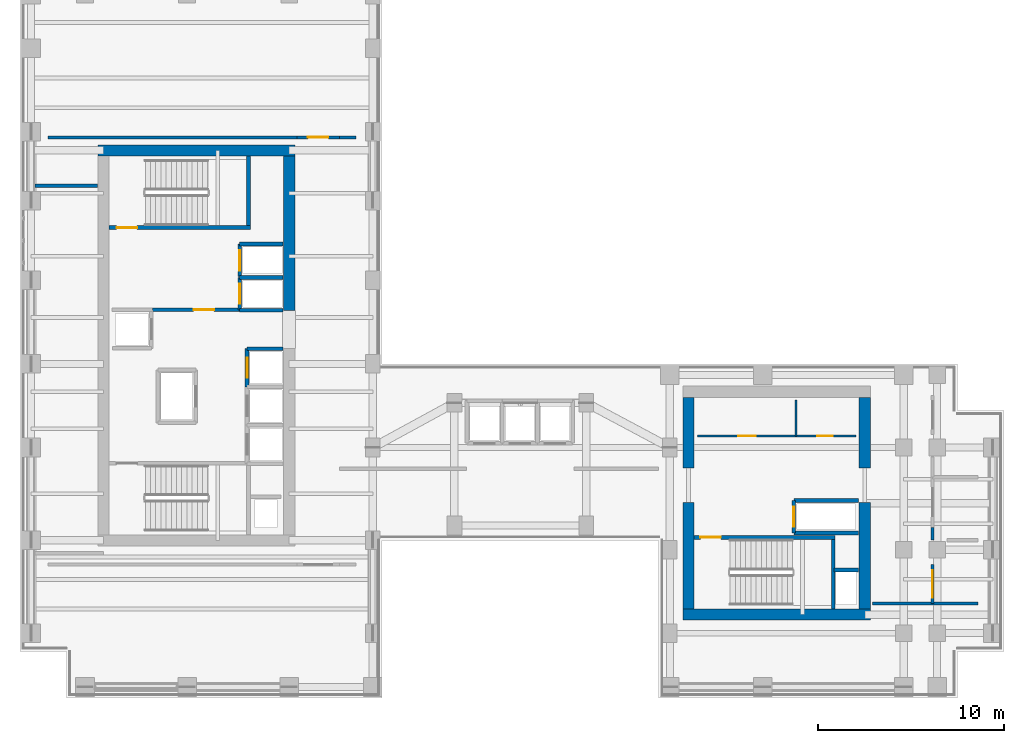
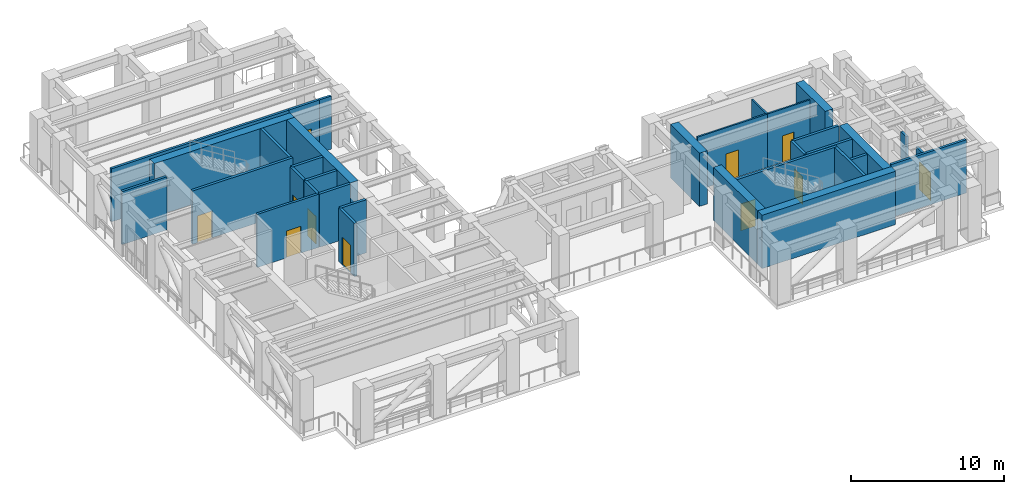
# One storey, part 9 of 14: 33 walls, 11 doors, 11 openings.
"""IFC4 building model written with IfcOpenShell, lengths in metres."""

from ifc_helpers import new_model, si_unit, direction, frame, frame_2d, origin, place, context, subcontext, project, spatial, rectangle, extrude, source, transform, mapped, material, layer, layer_set, type_object, element, fill, save


model = new_model("IFC4")

# Units and contexts
model_context = context("Model", 3, precision=1e-05, world=origin(), true_north=direction((0.0, 1.0)))
body_context = subcontext(model_context, "Body", "Model", "MODEL_VIEW")
ifc_project = project(units=[si_unit("LENGTHUNIT", "METRE"), si_unit("AREAUNIT", "SQUARE_METRE"), si_unit("VOLUMEUNIT", "CUBIC_METRE"), si_unit("PLANEANGLEUNIT", "RADIAN"), si_unit("MASSUNIT", "GRAM", prefix="KILO")], contexts=[model_context])

# Site, building, storey
site_placement = place(None, origin())
site = spatial("IfcSite", under=ifc_project, at=site_placement, CompositionType="ELEMENT")
building_placement = place(site_placement, origin())
building = spatial("IfcBuilding", under=site, at=building_placement, Name="Kharzan Plaza Tower", CompositionType="ELEMENT")
storey_placement = place(building_placement, frame((0.0, 0.0, 207.89990234375)))
storey = spatial("IfcBuildingStorey", under=building, at=storey_placement, Name="L56", CompositionType="ELEMENT", Elevation=207.89990234375)

# Wall, opening, door
ifc_material_1 = material(Name="Concrete C40/50", Category="concrete")
ifc_layer_1 = layer(ifc_material_1, 0.179931640625)
ifc_layer_set_1 = layer_set([ifc_layer_1], Name="Concrete C40/50")
wall_type_1 = type_object("IfcWallType", Name="WL-INT-FIRE-180", PredefinedType="PARTITIONING", material=ifc_layer_set_1)
wall_1_placement = place(storey_placement, frame((7.14990234375, 20.919921875, 0.0), z_axis=(0.0, 0.0, 1.0), x_axis=(1.0, 0.0, 0.0)))
wall_1 = element("IfcWall", 1, at=wall_1_placement, inside=storey, type_object=wall_type_1, Name="L56 Interior Partition CA-FF-S", PredefinedType="PARTITIONING", context=body_context, shape_type="SweptSolid", body=[
    extrude(rectangle(XDim=4.68017578125, YDim=0.179931640625, at=frame_2d((2.340087890625, 0.0))), origin(), (0.0, 0.0, 1.0), 4.2451171875),
])
opening_1_placement = place(wall_1_placement, frame((2.199951171875, 0.0, 0.0)))
opening_1 = element("IfcOpeningElement", 2, at=opening_1_placement, cuts=wall_1, Name="Opening FD1", PredefinedType="OPENING", context=body_context, shape_type="SweptSolid", body=[
    extrude(rectangle(XDim=1.10009765625, YDim=2.14990234375, at=frame_2d((0.550048828125, 1.074951171875))), frame((0.0, 0.099853515625, 0.0), z_axis=(0.0, -1.0, 0.0), x_axis=(1.0, 0.0, 0.0)), (0.0, 0.0, 1.0), 0.199951171875),
])
ifc_material_2 = material(Name="Fire-Rated Acoustic Vision-Panel Steel", Category="steel")
door_type_1 = type_object("IfcDoorType", Name="DR-FIRE-LOBBY", OperationType="NOTDEFINED", PredefinedType="DOOR", material=ifc_material_2)
shared_shape_1 = source(origin(), body_context, "Body", "SweptSolid", [
    extrude(rectangle(XDim=1.10009765625, YDim=2.14990234375, at=frame_2d((0.550048828125, 1.074951171875))), frame((0.0, 0.02490234375, 0.0), z_axis=(0.0, -1.0, 0.0), x_axis=(1.0, 0.0, 0.0)), (0.0, 0.0, 1.0), 0.050048828125),
])
door_1_placement = place(opening_1_placement, origin())
door_1 = element("IfcDoor", 3, at=door_1_placement, inside=storey, type_object=door_type_1, Name="L56 Firefighting Lobby Door", OperationType="SINGLE_SWING_RIGHT", OverallHeight=2.14990234375, OverallWidth=1.10009765625, PredefinedType="DOOR", context=body_context, shape_type="MappedRepresentation", body=[
    mapped(shared_shape_1, transform((0.0, 0.0, 0.0), x_axis=(1.0, 0.0, 0.0), y_axis=(0.0, 1.0, 0.0), z_axis=(0.0, 0.0, 1.0))),
])
fill(opening_1, door_1)

wall_2_placement = place(storey_placement, frame((49.14990234375, 5.10009765625, 0.0), z_axis=(0.0, 0.0, 1.0), x_axis=(0.0, 1.0, 0.0)))
wall_2 = element("IfcWall", 4, at=wall_2_placement, inside=storey, type_object=wall_type_1, Name="L56 Interior Partition MR-PMP", PredefinedType="PARTITIONING", context=body_context, shape_type="SweptSolid", body=[
    extrude(rectangle(XDim=2.099853515625, YDim=0.179931640625, at=frame_2d((1.0498046875, 0.0))), origin(), (0.0, 0.0, 1.0), 3.2451171875),
])
opening_2_placement = place(wall_2_placement, frame((0.300048828125, 0.0, 0.0)))
opening_2 = element("IfcOpeningElement", 5, at=opening_2_placement, cuts=wall_2, Name="Opening PD1", PredefinedType="OPENING", context=body_context, shape_type="SweptSolid", body=[
    extrude(rectangle(XDim=1.5, YDim=2.199951171875, at=frame_2d((0.75, 1.10009765625))), frame((0.0, 0.099853515625, 0.0), z_axis=(0.0, -1.0, 0.0), x_axis=(1.0, 0.0, 0.0)), (0.0, 0.0, 1.0), 0.199951171875),
])
ifc_material_3 = material(Name="Galvanized Louvred Acoustic Steel", Category="steel")
door_type_2 = type_object("IfcDoorType", Name="DR-PLANT-DBL", OperationType="DOUBLE_DOOR_SINGLE_SWING", PredefinedType="DOOR", material=ifc_material_3)
shared_shape_2 = source(origin(), body_context, "Body", "SweptSolid", [
    extrude(rectangle(XDim=1.5, YDim=2.199951171875, at=frame_2d((0.75, 1.10009765625))), frame((0.0, 0.02490234375, 0.0), z_axis=(0.0, -1.0, 0.0), x_axis=(1.0, 0.0, 0.0)), (0.0, 0.0, 1.0), 0.050048828125),
])
door_2_placement = place(opening_2_placement, origin())
door_2 = element("IfcDoor", 6, at=door_2_placement, inside=storey, type_object=door_type_2, Name="L56 Booster Pump Room Door", OperationType="DOUBLE_DOOR_SINGLE_SWING", OverallHeight=2.199951171875, OverallWidth=1.5, PredefinedType="DOOR", context=body_context, shape_type="MappedRepresentation", body=[
    mapped(shared_shape_2, transform((0.0, 0.0, 0.0), x_axis=(1.0, 0.0, 0.0), y_axis=(0.0, 1.0, 0.0), z_axis=(0.0, 0.0, 1.0))),
])
fill(opening_2, door_2)

wall_3_placement = place(storey_placement, frame((14.919921875, 30.199951171875, 0.0), z_axis=(0.0, 0.0, 1.0), x_axis=(1.0, 0.0, 0.0)))
wall_3 = element("IfcWall", 7, at=wall_3_placement, inside=storey, type_object=wall_type_1, Name="L56 Interior Partition MR-REFD", PredefinedType="PARTITIONING", context=body_context, shape_type="SweptSolid", body=[
    extrude(rectangle(XDim=2.280029296875, YDim=0.179931640625, at=frame_2d((1.14013671875, 0.0))), origin(), (0.0, 0.0, 1.0), 4.2451171875),
])
opening_3_placement = place(wall_3_placement, frame((0.590087890625, 0.0, 0.0)))
opening_3 = element("IfcOpeningElement", 8, at=opening_3_placement, cuts=wall_3, Name="Opening FD1", PredefinedType="OPENING", context=body_context, shape_type="SweptSolid", body=[
    extrude(rectangle(XDim=1.10009765625, YDim=2.14990234375, at=frame_2d((0.550048828125, 1.074951171875))), frame((0.0, 0.099853515625, 0.0), z_axis=(0.0, -1.0, 0.0), x_axis=(1.0, 0.0, 0.0)), (0.0, 0.0, 1.0), 0.199951171875),
])
door_3_placement = place(opening_3_placement, origin())
door_3 = element("IfcDoor", 9, at=door_3_placement, inside=storey, type_object=door_type_1, Name="L56 Area of Refuge Protected Door", OperationType="SINGLE_SWING_RIGHT", OverallHeight=2.14990234375, OverallWidth=1.10009765625, PredefinedType="DOOR", context=body_context, shape_type="MappedRepresentation", body=[
    mapped(shared_shape_1, transform((0.0, 0.0, 0.0), x_axis=(1.0, 0.0, 0.0), y_axis=(0.0, 1.0, 0.0), z_axis=(0.0, 0.0, 1.0))),
])
fill(opening_3, door_3)

ifc_material_4 = material(Name="Fire-Rated Gypsum Board Partition", Category="gypsum")
ifc_layer_2 = layer(ifc_material_4, 0.125)
ifc_layer_set_2 = layer_set([ifc_layer_2], Name="Fire-Rated Gypsum Board Partition")
wall_type_2 = type_object("IfcWallType", Name="WL-INT-PART-125", PredefinedType="PARTITIONING", material=ifc_layer_set_2)
wall_4_placement = place(storey_placement, frame((36.5, 14.1201171875, 0.0), z_axis=(0.0, 0.0, 1.0), x_axis=(1.0, 0.0, 0.0)))
wall_4 = element("IfcWall", 10, at=wall_4_placement, inside=storey, type_object=wall_type_2, Name="L56 Interior Partition CB-RBLSA", PredefinedType="PARTITIONING", context=body_context, shape_type="SweptSolid", body=[
    extrude(rectangle(XDim=5.300048828125, YDim=0.125, at=frame_2d((2.64990234375, 0.0))), origin(), (0.0, 0.0, 1.0), 4.2451171875),
])
opening_4_placement = place(wall_4_placement, frame((2.175048828125, 0.0, 0.0)))
opening_4 = element("IfcOpeningElement", 11, at=opening_4_placement, cuts=wall_4, Name="Opening OD1", PredefinedType="OPENING", context=body_context, shape_type="SweptSolid", body=[
    extrude(rectangle(XDim=0.949951171875, YDim=2.14990234375, at=frame_2d((0.47509765625, 1.074951171875))), frame((0.0, 0.072509765625, 0.0), z_axis=(0.0, -1.0, 0.0), x_axis=(1.0, 0.0, 0.0)), (0.0, 0.0, 1.0), 0.14501953125),
])
ifc_material_5 = material(Name="Acoustic Solid-Core Stained Oak", Category="timber")
door_type_3 = type_object("IfcDoorType", Name="DR-OFF-SINGLE", OperationType="NOTDEFINED", PredefinedType="DOOR", material=ifc_material_5)
shared_shape_3 = source(origin(), body_context, "Body", "SweptSolid", [
    extrude(rectangle(XDim=0.949951171875, YDim=2.14990234375, at=frame_2d((0.47509765625, 1.074951171875))), frame((0.0, 0.02490234375, 0.0), z_axis=(0.0, -1.0, 0.0), x_axis=(1.0, 0.0, 0.0)), (0.0, 0.0, 1.0), 0.050048828125),
])
door_4_placement = place(opening_4_placement, origin())
door_4 = element("IfcDoor", 12, at=door_4_placement, inside=storey, type_object=door_type_3, Name="L56 Records Room Door", OperationType="SINGLE_SWING_RIGHT", OverallHeight=2.14990234375, OverallWidth=0.949951171875, PredefinedType="DOOR", context=body_context, shape_type="MappedRepresentation", body=[
    mapped(shared_shape_3, transform((0.0, 0.0, 0.0), x_axis=(1.0, 0.0, 0.0), y_axis=(0.0, 1.0, 0.0), z_axis=(0.0, 0.0, 1.0))),
])
fill(opening_4, door_4)

wall_5_placement = place(storey_placement, frame((41.800048828125, 14.1201171875, 0.0), z_axis=(0.0, 0.0, 1.0), x_axis=(1.0, 0.0, 0.0)))
wall_5 = element("IfcWall", 13, at=wall_5_placement, inside=storey, type_object=wall_type_2, Name="L56 Interior Partition CB-RBLSB", PredefinedType="PARTITIONING", context=body_context, shape_type="SweptSolid", body=[
    extrude(rectangle(XDim=3.219970703125, YDim=0.125, at=frame_2d((1.60986328125, 0.0))), origin(), (0.0, 0.0, 1.0), 4.2451171875),
])
opening_5_placement = place(wall_5_placement, frame((1.135009765625, 0.0, 0.0)))
opening_5 = element("IfcOpeningElement", 14, at=opening_5_placement, cuts=wall_5, Name="Opening RD1", PredefinedType="OPENING", context=body_context, shape_type="SweptSolid", body=[
    extrude(rectangle(XDim=0.85009765625, YDim=2.10009765625, at=frame_2d((0.425048828125, 1.050048828125))), frame((0.0, 0.072509765625, 0.0), z_axis=(0.0, -1.0, 0.0), x_axis=(1.0, 0.0, 0.0)), (0.0, 0.0, 1.0), 0.14501953125),
])
ifc_material_6 = material(Name="Powder-Coated Fire-Rated Steel", Category="steel")
door_type_4 = type_object("IfcDoorType", Name="DR-RISER-900", OperationType="NOTDEFINED", PredefinedType="DOOR", material=ifc_material_6)
shared_shape_4 = source(origin(), body_context, "Body", "SweptSolid", [
    extrude(rectangle(XDim=0.85009765625, YDim=2.10009765625, at=frame_2d((0.425048828125, 1.050048828125))), frame((0.0, 0.02490234375, 0.0), z_axis=(0.0, -1.0, 0.0), x_axis=(1.0, 0.0, 0.0)), (0.0, 0.0, 1.0), 0.050048828125),
])
door_5_placement = place(opening_5_placement, origin())
door_5 = element("IfcDoor", 15, at=door_5_placement, inside=storey, type_object=door_type_4, Name="L56 Housekeeping Store Door", OperationType="SINGLE_SWING_LEFT", OverallHeight=2.10009765625, OverallWidth=0.85009765625, PredefinedType="DOOR", context=body_context, shape_type="MappedRepresentation", body=[
    mapped(shared_shape_4, transform((0.0, 0.0, 0.0), x_axis=(1.0, 0.0, 0.0), y_axis=(0.0, 1.0, 0.0), z_axis=(0.0, 0.0, 1.0))),
])
fill(opening_5, door_5)

ifc_layer_3 = layer(ifc_material_1, 0.199951171875)
ifc_layer_set_3 = layer_set([ifc_layer_3], Name="Concrete C40/50")
wall_type_3 = type_object("IfcWallType", Name="WL-INT-SHAFT-200", PredefinedType="PARTITIONING", material=ifc_layer_set_3)
wall_6_placement = place(storey_placement, frame((11.830078125, 20.89990234375, 0.0), z_axis=(0.0, 0.0, 1.0), x_axis=(0.0, 1.0, 0.0)))
wall_6 = element("IfcWall", 16, at=wall_6_placement, inside=storey, type_object=wall_type_3, Name="L56 Interior Partition SHF-FFL-1-W", PredefinedType="PARTITIONING", context=body_context, shape_type="SweptSolid", body=[
    extrude(rectangle(XDim=1.760009765625, YDim=0.199951171875, at=frame_2d((0.8798828125, 0.0))), origin(), (0.0, 0.0, 1.0), 4.2451171875),
])
opening_6_placement = place(wall_6_placement, frame((0.330078125, 0.0, 0.0)))
opening_6 = element("IfcOpeningElement", 17, at=opening_6_placement, cuts=wall_6, Name="Opening LD", PredefinedType="OPENING", context=body_context, shape_type="SweptSolid", body=[
    extrude(rectangle(XDim=1.10009765625, YDim=2.199951171875, at=frame_2d((0.550048828125, 1.10009765625))), frame((0.0, 0.10986328125, 0.0), z_axis=(0.0, -1.0, 0.0), x_axis=(1.0, 0.0, 0.0)), (0.0, 0.0, 1.0), 0.219970703125),
])
ifc_material_7 = material(Name="Brushed Stainless Steel", Category="steel")
door_type_5 = type_object("IfcDoorType", Name="DR-LIFT-SLIDE", OperationType="SLIDING_TO_LEFT", PredefinedType="DOOR", material=ifc_material_7)
shared_shape_5 = source(origin(), body_context, "Body", "SweptSolid", [
    extrude(rectangle(XDim=1.10009765625, YDim=2.199951171875, at=frame_2d((0.550048828125, 1.10009765625))), frame((0.0, 0.02490234375, 0.0), z_axis=(0.0, -1.0, 0.0), x_axis=(1.0, 0.0, 0.0)), (0.0, 0.0, 1.0), 0.050048828125),
])
door_6_placement = place(opening_6_placement, origin())
door_6 = element("IfcDoor", 18, at=door_6_placement, inside=storey, type_object=door_type_5, Name="L56 Firefighting Lift FFL-1 Sliding Landing Door", OperationType="SLIDING_TO_LEFT", OverallHeight=2.199951171875, OverallWidth=1.10009765625, PredefinedType="DOOR", context=body_context, shape_type="MappedRepresentation", body=[
    mapped(shared_shape_5, transform((0.0, 0.0, 0.0), x_axis=(1.0, 0.0, 0.0), y_axis=(0.0, 1.0, 0.0), z_axis=(0.0, 0.0, 1.0))),
])
fill(opening_6, door_6)

wall_7_placement = place(storey_placement, frame((11.830078125, 22.699951171875, 0.0), z_axis=(0.0, 0.0, 1.0), x_axis=(0.0, 1.0, 0.0)))
wall_7 = element("IfcWall", 19, at=wall_7_placement, inside=storey, type_object=wall_type_3, Name="L56 Interior Partition SHF-FFL-2-W", PredefinedType="PARTITIONING", context=body_context, shape_type="SweptSolid", body=[
    extrude(rectangle(XDim=1.760009765625, YDim=0.199951171875, at=frame_2d((0.8798828125, 0.0))), origin(), (0.0, 0.0, 1.0), 4.2451171875),
])
opening_7_placement = place(wall_7_placement, frame((0.330078125, 0.0, 0.0)))
opening_7 = element("IfcOpeningElement", 20, at=opening_7_placement, cuts=wall_7, Name="Opening LD", PredefinedType="OPENING", context=body_context, shape_type="SweptSolid", body=[
    extrude(rectangle(XDim=1.10009765625, YDim=2.199951171875, at=frame_2d((0.550048828125, 1.10009765625))), frame((0.0, 0.10986328125, 0.0), z_axis=(0.0, -1.0, 0.0), x_axis=(1.0, 0.0, 0.0)), (0.0, 0.0, 1.0), 0.219970703125),
])
door_7_placement = place(opening_7_placement, origin())
door_7 = element("IfcDoor", 21, at=door_7_placement, inside=storey, type_object=door_type_5, Name="L56 Firefighting Lift FFL-2 Sliding Landing Door", OperationType="SLIDING_TO_LEFT", OverallHeight=2.199951171875, OverallWidth=1.10009765625, PredefinedType="DOOR", context=body_context, shape_type="MappedRepresentation", body=[
    mapped(shared_shape_5, transform((0.0, 0.0, 0.0), x_axis=(1.0, 0.0, 0.0), y_axis=(0.0, 1.0, 0.0), z_axis=(0.0, 0.0, 1.0))),
])
fill(opening_7, door_7)

wall_8_placement = place(storey_placement, frame((12.22998046875, 16.77001953125, 0.0), z_axis=(0.0, 0.0, 1.0), x_axis=(0.0, 1.0, 0.0)))
wall_8 = element("IfcWall", 22, at=wall_8_placement, inside=storey, type_object=wall_type_3, Name="L56 Interior Partition SHF-PL-H3-W", PredefinedType="PARTITIONING", context=body_context, shape_type="SweptSolid", body=[
    extrude(rectangle(XDim=2.050048828125, YDim=0.199951171875, at=frame_2d((1.02490234375, 0.0))), origin(), (0.0, 0.0, 1.0), 4.2451171875),
])
opening_8_placement = place(wall_8_placement, frame((0.47509765625, 0.0, 0.0)))
opening_8 = element("IfcOpeningElement", 23, at=opening_8_placement, cuts=wall_8, Name="Opening LD", PredefinedType="OPENING", context=body_context, shape_type="SweptSolid", body=[
    extrude(rectangle(XDim=1.10009765625, YDim=2.199951171875, at=frame_2d((0.550048828125, 1.10009765625))), frame((0.0, 0.10986328125, 0.0), z_axis=(0.0, -1.0, 0.0), x_axis=(1.0, 0.0, 0.0)), (0.0, 0.0, 1.0), 0.219970703125),
])
door_8_placement = place(opening_8_placement, origin())
door_8 = element("IfcDoor", 24, at=door_8_placement, inside=storey, type_object=door_type_5, Name="L56 High-Rise Passenger Lift PL-H3 Sliding Landing Door", OperationType="SLIDING_TO_LEFT", OverallHeight=2.199951171875, OverallWidth=1.10009765625, PredefinedType="DOOR", context=body_context, shape_type="MappedRepresentation", body=[
    mapped(shared_shape_5, transform((0.0, 0.0, 0.0), x_axis=(1.0, 0.0, 0.0), y_axis=(0.0, 1.0, 0.0), z_axis=(0.0, 0.0, 1.0))),
])
fill(opening_8, door_8)

wall_9_placement = place(storey_placement, frame((41.679931640625, 8.89990234375, 0.0), z_axis=(0.0, 0.0, 1.0), x_axis=(0.0, 1.0, 0.0)))
wall_9 = element("IfcWall", 25, at=wall_9_placement, inside=storey, type_object=wall_type_3, Name="L56 Interior Partition SHF-SVL-2-W", PredefinedType="PARTITIONING", context=body_context, shape_type="SweptSolid", body=[
    extrude(rectangle(XDim=1.739990234375, YDim=0.199951171875, at=frame_2d((0.8701171875, 0.0))), origin(), (0.0, 0.0, 1.0), 4.2451171875),
])
opening_9_placement = place(wall_9_placement, frame((0.320068359375, 0.0, 0.0)))
opening_9 = element("IfcOpeningElement", 26, at=opening_9_placement, cuts=wall_9, Name="Opening LD", PredefinedType="OPENING", context=body_context, shape_type="SweptSolid", body=[
    extrude(rectangle(XDim=1.10009765625, YDim=2.199951171875, at=frame_2d((0.550048828125, 1.10009765625))), frame((0.0, 0.10986328125, 0.0), z_axis=(0.0, -1.0, 0.0), x_axis=(1.0, 0.0, 0.0)), (0.0, 0.0, 1.0), 0.219970703125),
])
door_9_placement = place(opening_9_placement, origin())
door_9 = element("IfcDoor", 27, at=door_9_placement, inside=storey, type_object=door_type_5, Name="L56 Service Lift SVL-2 Sliding Landing Door", OperationType="SLIDING_TO_LEFT", OverallHeight=2.199951171875, OverallWidth=1.10009765625, PredefinedType="DOOR", context=body_context, shape_type="MappedRepresentation", body=[
    mapped(shared_shape_5, transform((0.0, 0.0, 0.0), x_axis=(1.0, 0.0, 0.0), y_axis=(0.0, 1.0, 0.0), z_axis=(0.0, 0.0, 1.0))),
])
fill(opening_9, door_9)

ifc_material_8 = material(Name="Concrete C50/60", Category="concrete")
ifc_layer_4 = layer(ifc_material_8, 0.199951171875)
ifc_layer_set_4 = layer_set([ifc_layer_4], Name="Concrete C50/60")
wall_type_4 = type_object("IfcWallType", Name="WL-SHAFT-RC200", PredefinedType="SHEAR", material=ifc_layer_set_4)
wall_10_placement = place(storey_placement, frame((4.802001953125, 25.344970703125, 0.0), z_axis=(0.0, 0.0, 1.0), x_axis=(1.0, 0.0, 0.0)))
wall_10 = element("IfcWall", 28, at=wall_10_placement, inside=storey, type_object=wall_type_4, Name="L56 Stair ST-2 South RC Shaft Wall", PredefinedType="SHEAR", context=body_context, shape_type="SweptSolid", body=[
    extrude(rectangle(XDim=7.60302734375, YDim=0.199951171875, at=frame_2d((3.801513671875, 0.0))), origin(), (0.0, 0.0, 1.0), 4.260009765625),
])
opening_10_placement = place(wall_10_placement, frame((0.39990234375, 0.0, 0.0)))
opening_10 = element("IfcOpeningElement", 29, at=opening_10_placement, cuts=wall_10, Name="Opening SD1", PredefinedType="OPENING", context=body_context, shape_type="SweptSolid", body=[
    extrude(rectangle(XDim=1.10009765625, YDim=2.14990234375, at=frame_2d((0.550048828125, 1.074951171875))), frame((0.0, 0.10986328125, 0.0), z_axis=(0.0, -1.0, 0.0), x_axis=(1.0, 0.0, 0.0)), (0.0, 0.0, 1.0), 0.219970703125),
])
ifc_material_9 = material(Name="Fire-Rated Hollow Galvanized Steel", Category="steel")
door_type_6 = type_object("IfcDoorType", Name="DR-STAIR-FD120", OperationType="NOTDEFINED", PredefinedType="DOOR", material=ifc_material_9)
shared_shape_6 = source(origin(), body_context, "Body", "SweptSolid", [
    extrude(rectangle(XDim=1.10009765625, YDim=2.14990234375, at=frame_2d((0.550048828125, 1.074951171875))), frame((0.0, 0.02490234375, 0.0), z_axis=(0.0, -1.0, 0.0), x_axis=(1.0, 0.0, 0.0)), (0.0, 0.0, 1.0), 0.050048828125),
])
door_10_placement = place(opening_10_placement, origin())
door_10 = element("IfcDoor", 30, at=door_10_placement, inside=storey, type_object=door_type_6, Name="L56 Stair ST-2 Fire Exit Door", OperationType="SINGLE_SWING_LEFT", OverallHeight=2.14990234375, OverallWidth=1.10009765625, PredefinedType="DOOR", context=body_context, shape_type="MappedRepresentation", body=[
    mapped(shared_shape_6, transform((0.0, 0.0, 0.0), x_axis=(1.0, 0.0, 0.0), y_axis=(0.0, 1.0, 0.0), z_axis=(0.0, 0.0, 1.0))),
])
fill(opening_10, door_10)

wall_11_placement = place(storey_placement, frame((36.302001953125, 8.655029296875, 0.0), z_axis=(0.0, 0.0, 1.0), x_axis=(1.0, 0.0, 0.0)))
wall_11 = element("IfcWall", 31, at=wall_11_placement, inside=storey, type_object=wall_type_4, Name="L56 Stair ST-3 North RC Shaft Wall", PredefinedType="SHEAR", context=body_context, shape_type="SweptSolid", body=[
    extrude(rectangle(XDim=7.60302734375, YDim=0.199951171875, at=frame_2d((3.801513671875, 0.0))), origin(), (0.0, 0.0, 1.0), 4.260009765625),
])
opening_11_placement = place(wall_11_placement, frame((0.35009765625, 0.0, 0.0)))
opening_11 = element("IfcOpeningElement", 32, at=opening_11_placement, cuts=wall_11, Name="Opening SD1", PredefinedType="OPENING", context=body_context, shape_type="SweptSolid", body=[
    extrude(rectangle(XDim=1.10009765625, YDim=2.14990234375, at=frame_2d((0.550048828125, 1.074951171875))), frame((0.0, 0.10986328125, 0.0), z_axis=(0.0, -1.0, 0.0), x_axis=(1.0, 0.0, 0.0)), (0.0, 0.0, 1.0), 0.219970703125),
])
door_11_placement = place(opening_11_placement, origin())
door_11 = element("IfcDoor", 33, at=door_11_placement, inside=storey, type_object=door_type_6, Name="L56 Stair ST-3 Fire Exit Door", OperationType="SINGLE_SWING_LEFT", OverallHeight=2.14990234375, OverallWidth=1.10009765625, PredefinedType="DOOR", context=body_context, shape_type="MappedRepresentation", body=[
    mapped(shared_shape_6, transform((0.0, 0.0, 0.0), x_axis=(1.0, 0.0, 0.0), y_axis=(0.0, 1.0, 0.0), z_axis=(0.0, 0.0, 1.0))),
])
fill(opening_11, door_11)

# Walls
shared_shape_7 = source(origin(), body_context, "Body", "SweptSolid", [
    extrude(rectangle(XDim=13.419921875, YDim=0.179931640625, at=frame_2d((6.7099609375, 0.0))), origin(), (0.0, 0.0, 1.0), 4.2451171875),
])
wall_12_placement = place(storey_placement, frame((1.5, 30.199951171875, 0.0), z_axis=(0.0, 0.0, 1.0), x_axis=(1.0, 0.0, 0.0)))
element("IfcWall", 34, at=wall_12_placement, inside=storey, type_object=wall_type_1, Name="L56 Interior Partition MR-REFW", PredefinedType="PARTITIONING", context=body_context, shape_type="MappedRepresentation", body=[
    mapped(shared_shape_7, transform((0.0, 0.0, 0.0), x_axis=(1.0, 0.0, 0.0), y_axis=(0.0, 1.0, 0.0), z_axis=(0.0, 0.0, 1.0))),
])
shared_shape_8 = source(origin(), body_context, "Body", "SweptSolid", [
    extrude(rectangle(XDim=0.900146484375, YDim=0.179931640625, at=frame_2d((0.4501953125, 0.0))), origin(), (0.0, 0.0, 1.0), 4.2451171875),
])
wall_13_placement = place(storey_placement, frame((17.199951171875, 30.199951171875, 0.0), z_axis=(0.0, 0.0, 1.0), x_axis=(1.0, 0.0, 0.0)))
element("IfcWall", 35, at=wall_13_placement, inside=storey, type_object=wall_type_1, Name="L56 Interior Partition MR-REFWE", PredefinedType="PARTITIONING", context=body_context, shape_type="MappedRepresentation", body=[
    mapped(shared_shape_8, transform((0.0, 0.0, 0.0), x_axis=(1.0, 0.0, 0.0), y_axis=(0.0, 1.0, 0.0), z_axis=(0.0, 0.0, 1.0))),
])
shared_shape_9 = source(origin(), body_context, "Body", "SweptSolid", [
    extrude(rectangle(XDim=3.489990234375, YDim=0.199951171875, at=frame_2d((1.7451171875, 0.0))), origin(), (0.0, 0.0, 1.0), 4.2451171875),
])
for number, where, z_axis, x_axis, name in (
    (36, (41.679931640625, 10.639892578125, 0.0), (0.0, 0.0, 1.0), (1.0, 0.0, 0.0), "L56 Interior Partition SHF-SVL-2-N"),
    (37, (41.679931640625, 8.89990234375, 0.0), (0.0, 0.0, 1.0), (1.0, 0.0, 0.0), "L56 Interior Partition SHF-SVL-2-S"),
):
    element("IfcWall", number, at=place(storey_placement, frame(where, z_axis=z_axis, x_axis=x_axis)), inside=storey, type_object=wall_type_3, Name=name, PredefinedType="PARTITIONING", context=body_context, shape_type="MappedRepresentation", body=[
        mapped(shared_shape_9, transform((0.0, 0.0, 0.0), x_axis=(1.0, 0.0, 0.0), y_axis=(0.0, 1.0, 0.0), z_axis=(0.0, 0.0, 1.0))),
    ])
ifc_layer_5 = layer(ifc_material_8, 0.60009765625)
ifc_layer_set_5 = layer_set([ifc_layer_5], Name="Concrete C50/60")
wall_type_5 = type_object("IfcWallType", Name="WL-CORE-600", PredefinedType="SHEAR", material=ifc_layer_set_5)
shared_shape_10 = source(origin(), body_context, "Body", "SweptSolid", [
    extrude(rectangle(XDim=8.320068359375, YDim=0.60009765625, at=frame_2d((4.16015625, 0.0))), origin(), (0.0, 0.0, 1.0), 4.260009765625),
])
wall_14_placement = place(storey_placement, frame((14.5, 20.8798828125, 0.0), z_axis=(0.0, 0.0, 1.0), x_axis=(0.0, 1.0, 0.0)))
element("IfcWall", 38, at=wall_14_placement, inside=storey, type_object=wall_type_5, Name="L56 CORE-A east shear pier 2", PredefinedType="SHEAR", context=body_context, shape_type="MappedRepresentation", body=[
    mapped(shared_shape_10, transform((0.0, 0.0, 0.0), x_axis=(1.0, 0.0, 0.0), y_axis=(0.0, 1.0, 0.0), z_axis=(0.0, 0.0, 1.0))),
])
shared_shape_11 = source(origin(), body_context, "Body", "SweptSolid", [
    extrude(rectangle(XDim=10.60009765625, YDim=0.60009765625, at=frame_2d((5.300048828125, 0.0))), origin(), (0.0, 0.0, 1.0), 4.260009765625),
])
wall_15_placement = place(storey_placement, frame((4.199951171875, 29.5, 0.0), z_axis=(0.0, 0.0, 1.0), x_axis=(1.0, 0.0, 0.0)))
element("IfcWall", 39, at=wall_15_placement, inside=storey, type_object=wall_type_5, Name="L56 CORE-A north RC shear wall", PredefinedType="SHEAR", context=body_context, shape_type="MappedRepresentation", body=[
    mapped(shared_shape_11, transform((0.0, 0.0, 0.0), x_axis=(1.0, 0.0, 0.0), y_axis=(0.0, 1.0, 0.0), z_axis=(0.0, 0.0, 1.0))),
])
shared_shape_12 = source(origin(), body_context, "Body", "SweptSolid", [
    extrude(rectangle(XDim=5.75, YDim=0.60009765625, at=frame_2d((2.875, 0.0))), origin(), (0.0, 0.0, 1.0), 4.260009765625),
])
for number, where, z_axis, x_axis, name in (
    (40, (45.5, 4.800048828125, 0.0), (0.0, 0.0, 1.0), (0.0, 1.0, 0.0), "L56 CORE-B east shear pier 1"),
    (41, (36.0, 4.800048828125, 0.0), (0.0, 0.0, 1.0), (0.0, 1.0, 0.0), "L56 CORE-B west shear pier 1"),
):
    element("IfcWall", number, at=place(storey_placement, frame(where, z_axis=z_axis, x_axis=x_axis)), inside=storey, type_object=wall_type_5, Name=name, PredefinedType="SHEAR", context=body_context, shape_type="MappedRepresentation", body=[
        mapped(shared_shape_12, transform((0.0, 0.0, 0.0), x_axis=(1.0, 0.0, 0.0), y_axis=(0.0, 1.0, 0.0), z_axis=(0.0, 0.0, 1.0))),
    ])
shared_shape_13 = source(origin(), body_context, "Body", "SweptSolid", [
    extrude(rectangle(XDim=3.800048828125, YDim=0.60009765625, at=frame_2d((1.89990234375, 0.0))), origin(), (0.0, 0.0, 1.0), 4.260009765625),
])
for number, where, z_axis, x_axis, name in (
    (42, (45.5, 12.39990234375, 0.0), (0.0, 0.0, 1.0), (0.0, 1.0, 0.0), "L56 CORE-B east shear pier 2"),
    (43, (36.0, 12.39990234375, 0.0), (0.0, 0.0, 1.0), (0.0, 1.0, 0.0), "L56 CORE-B west shear pier 2"),
):
    element("IfcWall", number, at=place(storey_placement, frame(where, z_axis=z_axis, x_axis=x_axis)), inside=storey, type_object=wall_type_5, Name=name, PredefinedType="SHEAR", context=body_context, shape_type="MappedRepresentation", body=[
        mapped(shared_shape_13, transform((0.0, 0.0, 0.0), x_axis=(1.0, 0.0, 0.0), y_axis=(0.0, 1.0, 0.0), z_axis=(0.0, 0.0, 1.0))),
    ])
shared_shape_14 = source(origin(), body_context, "Body", "SweptSolid", [
    extrude(rectangle(XDim=10.10009765625, YDim=0.60009765625, at=frame_2d((5.050048828125, 0.0))), origin(), (0.0, 0.0, 1.0), 4.260009765625),
])
wall_16_placement = place(storey_placement, frame((35.699951171875, 4.5, 0.0), z_axis=(0.0, 0.0, 1.0), x_axis=(1.0, 0.0, 0.0)))
element("IfcWall", 44, at=wall_16_placement, inside=storey, type_object=wall_type_5, Name="L56 CORE-B south RC shear wall", PredefinedType="SHEAR", context=body_context, shape_type="MappedRepresentation", body=[
    mapped(shared_shape_14, transform((0.0, 0.0, 0.0), x_axis=(1.0, 0.0, 0.0), y_axis=(0.0, 1.0, 0.0), z_axis=(0.0, 0.0, 1.0))),
])
shared_shape_15 = source(origin(), body_context, "Body", "SweptSolid", [
    extrude(rectangle(XDim=5.68017578125, YDim=0.179931640625, at=frame_2d((2.840087890625, 0.0))), origin(), (0.0, 0.0, 1.0), 4.2451171875),
])
wall_17_placement = place(storey_placement, frame((45.919921875, 5.10009765625, 0.0), z_axis=(0.0, 0.0, 1.0), x_axis=(1.0, 0.0, 0.0)))
element("IfcWall", 45, at=wall_17_placement, inside=storey, type_object=wall_type_1, Name="L56 Interior Partition MR-OTBE", PredefinedType="PARTITIONING", context=body_context, shape_type="MappedRepresentation", body=[
    mapped(shared_shape_15, transform((0.0, 0.0, 0.0), x_axis=(1.0, 0.0, 0.0), y_axis=(0.0, 1.0, 0.0), z_axis=(0.0, 0.0, 1.0))),
])
shared_shape_16 = source(origin(), body_context, "Body", "SweptSolid", [
    extrude(rectangle(XDim=3.369873046875, YDim=0.179931640625, at=frame_2d((1.68505859375, 0.0))), origin(), (0.0, 0.0, 1.0), 4.2451171875),
])
wall_18_placement = place(storey_placement, frame((0.800048828125, 27.60009765625, 0.0), z_axis=(0.0, 0.0, 1.0), x_axis=(1.0, 0.0, 0.0)))
element("IfcWall", 46, at=wall_18_placement, inside=storey, type_object=wall_type_1, Name="L56 Interior Partition MR-OTWN", PredefinedType="PARTITIONING", context=body_context, shape_type="MappedRepresentation", body=[
    mapped(shared_shape_16, transform((0.0, 0.0, 0.0), x_axis=(1.0, 0.0, 0.0), y_axis=(0.0, 1.0, 0.0), z_axis=(0.0, 0.0, 1.0))),
])
shared_shape_17 = source(origin(), body_context, "Body", "SweptSolid", [
    extrude(rectangle(XDim=0.679931640625, YDim=0.179931640625, at=frame_2d((0.33984375, 0.0))), origin(), (0.0, 0.0, 1.0), 3.2451171875),
])
wall_19_placement = place(storey_placement, frame((49.14990234375, 8.52001953125, 0.0), z_axis=(0.0, 0.0, 1.0), x_axis=(0.0, 1.0, 0.0)))
element("IfcWall", 47, at=wall_19_placement, inside=storey, type_object=wall_type_1, Name="L56 Interior Partition MR-PMPN", PredefinedType="PARTITIONING", context=body_context, shape_type="MappedRepresentation", body=[
    mapped(shared_shape_17, transform((0.0, 0.0, 0.0), x_axis=(1.0, 0.0, 0.0), y_axis=(0.0, 1.0, 0.0), z_axis=(0.0, 0.0, 1.0))),
])
shared_shape_18 = source(origin(), body_context, "Body", "SweptSolid", [
    extrude(rectangle(XDim=1.929931640625, YDim=0.125, at=frame_2d((0.96484375, 0.0))), origin(), (0.0, 0.0, 1.0), 4.2451171875),
])
wall_20_placement = place(storey_placement, frame((41.800048828125, 14.1201171875, 0.0), z_axis=(0.0, 0.0, 1.0), x_axis=(0.0, 1.0, 0.0)))
element("IfcWall", 48, at=wall_20_placement, inside=storey, type_object=wall_type_2, Name="L56 Interior Partition CB-RBLM2", PredefinedType="PARTITIONING", context=body_context, shape_type="MappedRepresentation", body=[
    mapped(shared_shape_18, transform((0.0, 0.0, 0.0), x_axis=(1.0, 0.0, 0.0), y_axis=(0.0, 1.0, 0.0), z_axis=(0.0, 0.0, 1.0))),
])
shared_shape_19 = source(origin(), body_context, "Body", "SweptSolid", [
    extrude(rectangle(XDim=1.2998046875, YDim=0.199951171875, at=frame_2d((0.64990234375, 0.0))), origin(), (0.0, 0.0, 1.0), 4.2451171875),
])
wall_21_placement = place(storey_placement, frame((43.85009765625, 6.89990234375, 0.0), z_axis=(0.0, 0.0, 1.0), x_axis=(1.0, 0.0, 0.0)))
element("IfcWall", 49, at=wall_21_placement, inside=storey, type_object=wall_type_3, Name="L56 Interior Partition CB-RSRB-N", PredefinedType="PARTITIONING", context=body_context, shape_type="MappedRepresentation", body=[
    mapped(shared_shape_19, transform((0.0, 0.0, 0.0), x_axis=(1.0, 0.0, 0.0), y_axis=(0.0, 1.0, 0.0), z_axis=(0.0, 0.0, 1.0))),
])
shared_shape_20 = source(origin(), body_context, "Body", "SweptSolid", [
    extrude(rectangle(XDim=2.33984375, YDim=0.199951171875, at=frame_2d((1.169921875, 0.0))), origin(), (0.0, 0.0, 1.0), 4.2451171875),
])
for number, where, z_axis, x_axis, name in (
    (50, (11.830078125, 22.659912109375, 0.0), (0.0, 0.0, 1.0), (1.0, 0.0, 0.0), "L56 Interior Partition SHF-FFL-1-N"),
    (51, (11.830078125, 20.89990234375, 0.0), (0.0, 0.0, 1.0), (1.0, 0.0, 0.0), "L56 Interior Partition SHF-FFL-1-S"),
    (52, (11.830078125, 24.4599609375, 0.0), (0.0, 0.0, 1.0), (1.0, 0.0, 0.0), "L56 Interior Partition SHF-FFL-2-N"),
):
    element("IfcWall", number, at=place(storey_placement, frame(where, z_axis=z_axis, x_axis=x_axis)), inside=storey, type_object=wall_type_3, Name=name, PredefinedType="PARTITIONING", context=body_context, shape_type="MappedRepresentation", body=[
        mapped(shared_shape_20, transform((0.0, 0.0, 0.0), x_axis=(1.0, 0.0, 0.0), y_axis=(0.0, 1.0, 0.0), z_axis=(0.0, 0.0, 1.0))),
    ])
shared_shape_21 = source(origin(), body_context, "Body", "SweptSolid", [
    extrude(rectangle(XDim=1.93994140625, YDim=0.199951171875, at=frame_2d((0.969970703125, 0.0))), origin(), (0.0, 0.0, 1.0), 4.2451171875),
])
wall_22_placement = place(storey_placement, frame((12.22998046875, 18.820068359375, 0.0), z_axis=(0.0, 0.0, 1.0), x_axis=(1.0, 0.0, 0.0)))
element("IfcWall", 53, at=wall_22_placement, inside=storey, type_object=wall_type_3, Name="L56 Interior Partition SHF-PL-H3-N", PredefinedType="PARTITIONING", context=body_context, shape_type="MappedRepresentation", body=[
    mapped(shared_shape_21, transform((0.0, 0.0, 0.0), x_axis=(1.0, 0.0, 0.0), y_axis=(0.0, 1.0, 0.0), z_axis=(0.0, 0.0, 1.0))),
])
shared_shape_22 = source(origin(), body_context, "Body", "SweptSolid", [
    extrude(rectangle(XDim=3.7529296875, YDim=0.199951171875, at=frame_2d((1.87646484375, 0.0))), origin(), (0.0, 0.0, 1.0), 4.260009765625),
])
for number, where, z_axis, x_axis, name in (
    (54, (12.304931640625, 25.445068359375, 0.0), (0.0, 0.0, 1.0), (0.0, 1.0, 0.0), "L56 Stair ST-2 East RC Shaft Wall"),
    (55, (43.804931640625, 4.802001953125, 0.0), (0.0, 0.0, 1.0), (0.0, 1.0, 0.0), "L56 Stair ST-3 East RC Shaft Wall"),
):
    element("IfcWall", number, at=place(storey_placement, frame(where, z_axis=z_axis, x_axis=x_axis)), inside=storey, type_object=wall_type_4, Name=name, PredefinedType="SHEAR", context=body_context, shape_type="MappedRepresentation", body=[
        mapped(shared_shape_22, transform((0.0, 0.0, 0.0), x_axis=(1.0, 0.0, 0.0), y_axis=(0.0, 1.0, 0.0), z_axis=(0.0, 0.0, 1.0))),
    ])

save(model, "model.ifc")
